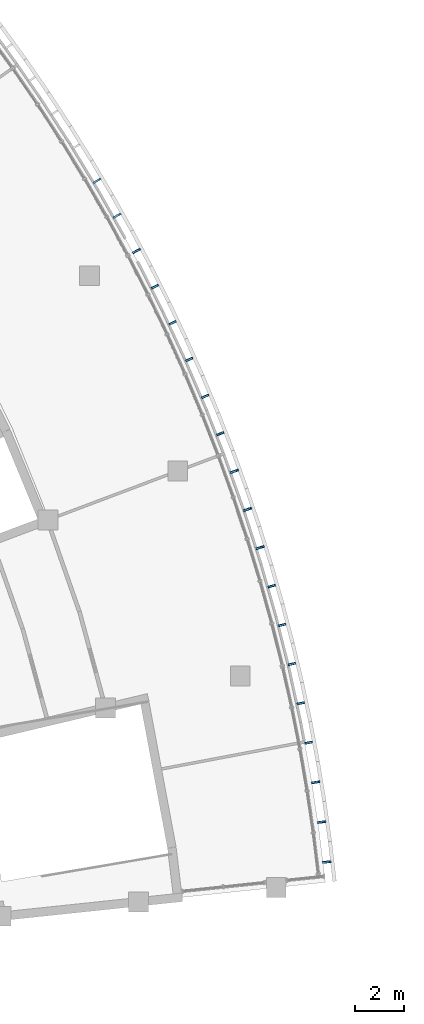
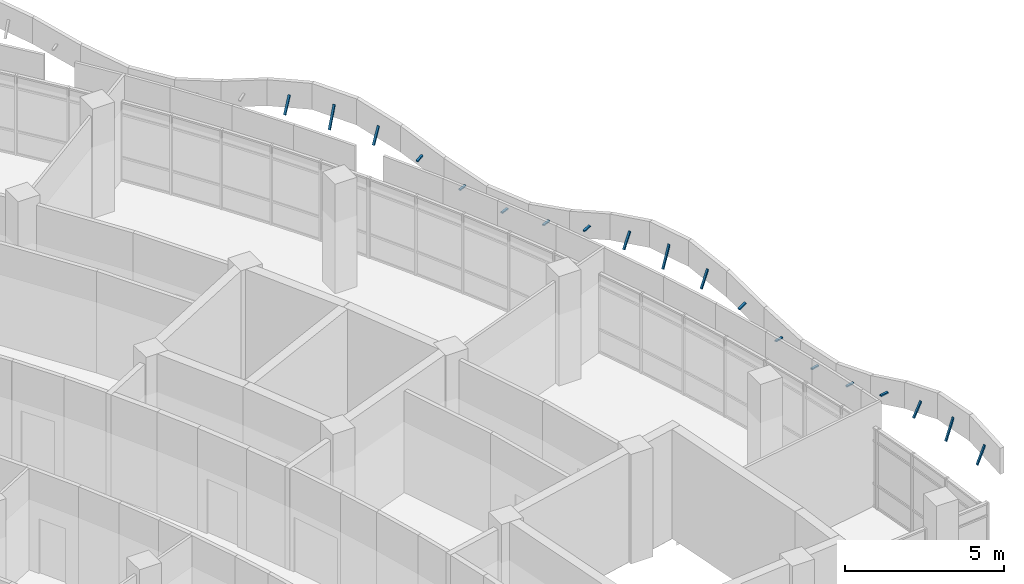
# One storey, part 108 of 137: 19 discrete accessories.
"""IFC4 building model written with IfcOpenShell, lengths in metres."""

from ifc_helpers import new_model, si_unit, direction, frame, origin, origin_2d, place, context, subcontext, project, spatial, rectangle, extrude, material, material_profile, profile_set, type_object, element, save


model = new_model("IFC4")

# Units and contexts
model_context = context("Model", 3, precision=1e-05, world=origin(), true_north=direction((0.0, 1.0)))
body_context = subcontext(model_context, "Body", "Model", "MODEL_VIEW")
ifc_project = project(units=[si_unit("LENGTHUNIT", "METRE"), si_unit("AREAUNIT", "SQUARE_METRE"), si_unit("VOLUMEUNIT", "CUBIC_METRE"), si_unit("PLANEANGLEUNIT", "RADIAN"), si_unit("MASSUNIT", "GRAM", prefix="KILO")], contexts=[model_context])

# Site, building, storey
site_placement = place(None, origin())
site = spatial("IfcSite", under=ifc_project, at=site_placement, CompositionType="ELEMENT")
building_placement = place(site_placement, origin())
building = spatial("IfcBuilding", under=site, at=building_placement, Name="Bougainvillea Quay General Hospital", CompositionType="ELEMENT")
storey_placement = place(building_placement, frame((0.0, 0.0, 16.800048828125)))
storey = spatial("IfcBuildingStorey", under=building, at=storey_placement, Name="L03", CompositionType="ELEMENT", Elevation=16.800048828125)

# Discrete accessories
ifc_material = material(Name="Stainless steel bracket, grade 316", Category="steel")
ifc_material_profile = material_profile(ifc_material, rectangle(XDim=0.080078125, YDim=0.050048828125, at=origin_2d()))
ifc_profile_set = profile_set([ifc_material_profile], Name="Stainless steel bracket, grade 316")
discrete_accessory_type = type_object("IfcDiscreteAccessoryType", Name="Stainless steel stand-off bracket 80x50", PredefinedType="BRACKET", material=ifc_profile_set)
discrete_accessory_1_placement = place(storey_placement, frame((178.72265625, 30.123779296875, 4.139892578125), z_axis=(0.420455791884, 0.048898216583, 0.905994421333), x_axis=(-0.115519524784, 0.993305209587, 0.0)))
element("IfcDiscreteAccessory", 1, at=discrete_accessory_1_placement, inside=storey, type_object=discrete_accessory_type, Name="Fascia bracket a14 1", PredefinedType="BRACKET", context=body_context, shape_type="SweptSolid", body=[
    extrude(rectangle(XDim=0.080078125, YDim=0.050048828125, at=origin_2d()), origin(), (0.0, 0.0, 1.0), 0.708984375),
])
discrete_accessory_2_placement = place(storey_placement, frame((178.515625, 31.734619140625, 4.139892578125), z_axis=(0.349063783204, 0.049087094513, 0.935812445102), x_axis=(-0.139254831399, 0.990256578838, 0.0)))
element("IfcDiscreteAccessory", 2, at=discrete_accessory_2_placement, inside=storey, type_object=discrete_accessory_type, Name="Fascia bracket a14 2", PredefinedType="BRACKET", context=body_context, shape_type="SweptSolid", body=[
    extrude(rectangle(XDim=0.080078125, YDim=0.050048828125, at=origin_2d()), origin(), (0.0, 0.0, 1.0), 0.8505859375),
])
discrete_accessory_3_placement = place(storey_placement, frame((178.27099609375, 33.34033203125, 4.139892578125), z_axis=(0.487904988415, 0.08004376974, 0.869219027176), x_axis=(-0.161891913248, 0.986808496328, 0.0)))
element("IfcDiscreteAccessory", 3, at=discrete_accessory_3_placement, inside=storey, type_object=discrete_accessory_type, Name="Fascia bracket a14 3", PredefinedType="BRACKET", context=body_context, shape_type="SweptSolid", body=[
    extrude(rectangle(XDim=0.080078125, YDim=0.050048828125, at=origin_2d()), origin(), (0.0, 0.0, 1.0), 0.60693359375),
])
for number, where, z_axis, x_axis, name in (
    (4, (177.9892578125, 34.93994140625, 4.130615234375), (0.982798426124, 0.184681492326, 0.0), (-0.184681492326, 0.982798426124, 0.0), "Fascia bracket a14 4"),
    (5, (177.67041015625, 36.532470703125, 3.633544921875), (0.978063620518, 0.208306395052, 0.0), (-0.208306395052, 0.978063620518, 0.0), "Fascia bracket a14 5"),
):
    element("IfcDiscreteAccessory", number, at=place(storey_placement, frame(where, z_axis=z_axis, x_axis=x_axis)), inside=storey, type_object=discrete_accessory_type, Name=name, PredefinedType="BRACKET", context=body_context, shape_type="SweptSolid", body=[
        extrude(rectangle(XDim=0.080078125, YDim=0.050048828125, at=origin_2d()), origin(), (0.0, 0.0, 1.0), 0.300048828125),
    ])
discrete_accessory_4_placement = place(storey_placement, frame((177.31494140625, 38.117431640625, 3.4619140625), z_axis=(0.973085092967, 0.230446093146, 0.0), x_axis=(-0.230446093146, 0.973085092967, 0.0)))
element("IfcDiscreteAccessory", 6, at=discrete_accessory_4_placement, inside=storey, type_object=discrete_accessory_type, Name="Fascia bracket a14 6", PredefinedType="BRACKET", context=body_context, shape_type="SweptSolid", body=[
    extrude(rectangle(XDim=0.080078125, YDim=0.050048828125, at=origin_2d()), origin(), (0.0, 0.0, 1.0), 0.2998046875),
])
discrete_accessory_5_placement = place(storey_placement, frame((176.922607421875, 39.693603515625, 3.714111328125), z_axis=(0.967651833377, 0.252289376238, 0.0), x_axis=(-0.252289376238, 0.967651833377, 0.0)))
element("IfcDiscreteAccessory", 7, at=discrete_accessory_5_placement, inside=storey, type_object=discrete_accessory_type, Name="Fascia bracket a14 7", PredefinedType="BRACKET", context=body_context, shape_type="SweptSolid", body=[
    extrude(rectangle(XDim=0.080078125, YDim=0.050048828125, at=origin_2d()), origin(), (0.0, 0.0, 1.0), 0.300048828125),
])
discrete_accessory_6_placement = place(storey_placement, frame((176.493896484375, 41.260009765625, 4.139892578125), z_axis=(0.906771368017, 0.260284076002, 0.331689441984), x_axis=(-0.275903341127, 0.961185386049, 0.0)))
element("IfcDiscreteAccessory", 8, at=discrete_accessory_6_placement, inside=storey, type_object=discrete_accessory_type, Name="Fascia bracket a14 8", PredefinedType="BRACKET", context=body_context, shape_type="SweptSolid", body=[
    extrude(rectangle(XDim=0.080078125, YDim=0.050048828125, at=origin_2d()), origin(), (0.0, 0.0, 1.0), 0.31787109375),
])
discrete_accessory_7_placement = place(storey_placement, frame((176.02880859375, 42.81640625, 4.139892578125), z_axis=(0.42083420853, 0.130950116039, 0.897636137887), x_axis=(-0.297116030954, 0.95484138167, 0.0)))
element("IfcDiscreteAccessory", 9, at=discrete_accessory_7_placement, inside=storey, type_object=discrete_accessory_type, Name="Fascia bracket a14 9", PredefinedType="BRACKET", context=body_context, shape_type="SweptSolid", body=[
    extrude(rectangle(XDim=0.080078125, YDim=0.050048828125, at=origin_2d()), origin(), (0.0, 0.0, 1.0), 0.680419921875),
])
discrete_accessory_8_placement = place(storey_placement, frame((175.52783203125, 44.361328125, 4.139892578125), z_axis=(0.332775638896, 0.112354661586, 0.936288846552), x_axis=(-0.319888251559, 0.947455279427, 0.0)))
element("IfcDiscreteAccessory", 10, at=discrete_accessory_8_placement, inside=storey, type_object=discrete_accessory_type, Name="Fascia bracket a14 10", PredefinedType="BRACKET", context=body_context, shape_type="SweptSolid", body=[
    extrude(rectangle(XDim=0.080078125, YDim=0.050048828125, at=origin_2d()), origin(), (0.0, 0.0, 1.0), 0.85400390625),
])
discrete_accessory_9_placement = place(storey_placement, frame((174.990966796875, 45.894287109375, 4.139892578125), z_axis=(0.441563770016, 0.160568643642, 0.882745233738), x_axis=(-0.341743063087, 0.939793423488, 0.0)))
element("IfcDiscreteAccessory", 11, at=discrete_accessory_9_placement, inside=storey, type_object=discrete_accessory_type, Name="Fascia bracket a14 11", PredefinedType="BRACKET", context=body_context, shape_type="SweptSolid", body=[
    extrude(rectangle(XDim=0.080078125, YDim=0.050048828125, at=origin_2d()), origin(), (0.0, 0.0, 1.0), 0.638671875),
])
discrete_accessory_10_placement = place(storey_placement, frame((174.4189453125, 47.41455078125, 4.139892578125), z_axis=(0.924197386935, 0.359993043295, 0.127531167804), x_axis=(-0.362956743558, 0.931805989628, 0.0)))
element("IfcDiscreteAccessory", 12, at=discrete_accessory_10_placement, inside=storey, type_object=discrete_accessory_type, Name="Fascia bracket a14 12", PredefinedType="BRACKET", context=body_context, shape_type="SweptSolid", body=[
    extrude(rectangle(XDim=0.080078125, YDim=0.050048828125, at=origin_2d()), origin(), (0.0, 0.0, 1.0), 0.302490234375),
])
for number, where, z_axis, x_axis, name in (
    (13, (173.811767578125, 48.9208984375, 3.66552734375), (0.922932383394, 0.384962096424, 0.0), (-0.384962096424, 0.922932383394, 0.0), "Fascia bracket a14 13"),
    (14, (173.169677734375, 50.412841796875, 3.459716796875), (0.913845102344, 0.406062961772, 0.0), (-0.406062961772, 0.913845102344, 0.0), "Fascia bracket a14 14"),
    (15, (172.4931640625, 51.889404296875, 3.678955078125), (0.904135144494, 0.427246580432, 0.0), (-0.427246580432, 0.904135144494, 0.0), "Fascia bracket a14 15"),
):
    element("IfcDiscreteAccessory", number, at=place(storey_placement, frame(where, z_axis=z_axis, x_axis=x_axis)), inside=storey, type_object=discrete_accessory_type, Name=name, PredefinedType="BRACKET", context=body_context, shape_type="SweptSolid", body=[
        extrude(rectangle(XDim=0.080078125, YDim=0.050048828125, at=origin_2d()), origin(), (0.0, 0.0, 1.0), 0.300048828125),
    ])
discrete_accessory_11_placement = place(storey_placement, frame((171.782470703125, 53.35009765625, 4.139892578125), z_axis=(0.878085188256, 0.439442086934, 0.189359590188), x_axis=(-0.447539048834, 0.894264390306, 0.0)))
element("IfcDiscreteAccessory", 16, at=discrete_accessory_11_placement, inside=storey, type_object=discrete_accessory_type, Name="Fascia bracket a14 16", PredefinedType="BRACKET", context=body_context, shape_type="SweptSolid", body=[
    extrude(rectangle(XDim=0.080078125, YDim=0.050048828125, at=origin_2d()), origin(), (0.0, 0.0, 1.0), 0.3056640625),
])
discrete_accessory_12_placement = place(storey_placement, frame((171.038330078125, 54.793701171875, 4.139892578125), z_axis=(0.407306797802, 0.216030124801, 0.887373741804), x_axis=(-0.46856034887, 0.8834314911, 0.0)))
element("IfcDiscreteAccessory", 17, at=discrete_accessory_12_placement, inside=storey, type_object=discrete_accessory_type, Name="Fascia bracket a14 17", PredefinedType="BRACKET", context=body_context, shape_type="SweptSolid", body=[
    extrude(rectangle(XDim=0.080078125, YDim=0.050048828125, at=origin_2d()), origin(), (0.0, 0.0, 1.0), 0.65087890625),
])
discrete_accessory_13_placement = place(storey_placement, frame((170.2607421875, 56.2197265625, 4.139892578125), z_axis=(0.30621486811, 0.171674566916, 0.936354792599), x_axis=(-0.489024525164, 0.872270034902, 0.0)))
element("IfcDiscreteAccessory", 18, at=discrete_accessory_13_placement, inside=storey, type_object=discrete_accessory_type, Name="Fascia bracket a14 18", PredefinedType="BRACKET", context=body_context, shape_type="SweptSolid", body=[
    extrude(rectangle(XDim=0.080078125, YDim=0.050048828125, at=origin_2d()), origin(), (0.0, 0.0, 1.0), 0.854736328125),
])
discrete_accessory_14_placement = place(storey_placement, frame((169.4501953125, 57.627197265625, 4.139892578125), z_axis=(0.386225439032, 0.228522802301, 0.893648274811), x_axis=(-0.509222533349, 0.860634888631, 0.0)))
element("IfcDiscreteAccessory", 19, at=discrete_accessory_14_placement, inside=storey, type_object=discrete_accessory_type, Name="Fascia bracket a14 19", PredefinedType="BRACKET", context=body_context, shape_type="SweptSolid", body=[
    extrude(rectangle(XDim=0.080078125, YDim=0.050048828125, at=origin_2d()), origin(), (0.0, 0.0, 1.0), 0.668701171875),
])

save(model, "model.ifc")
